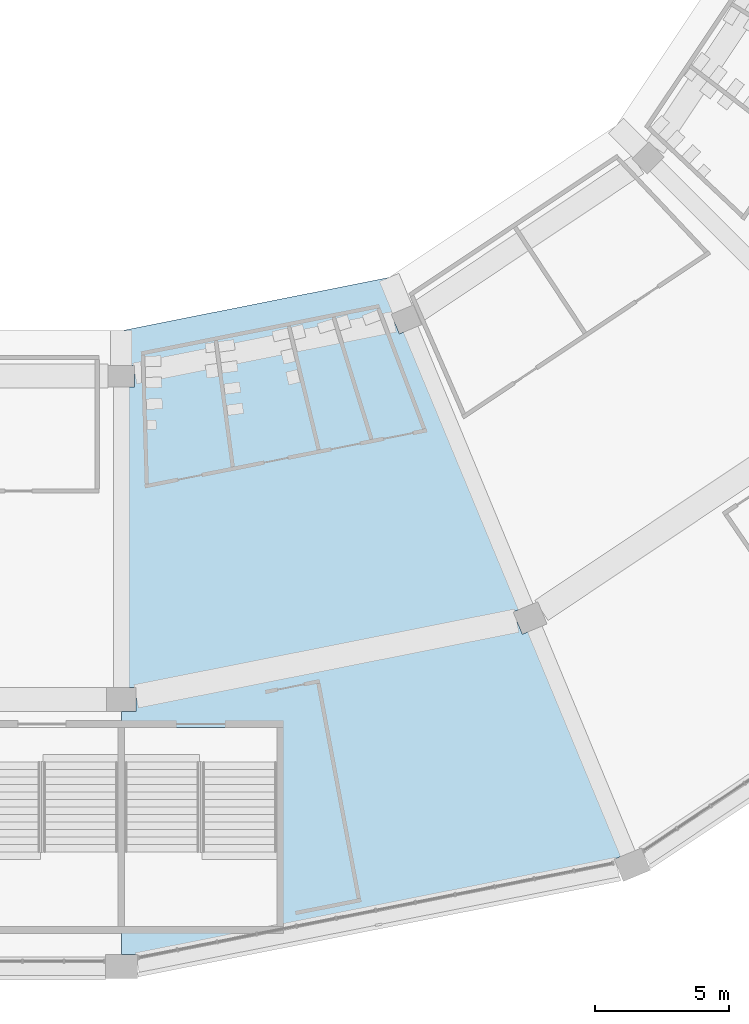
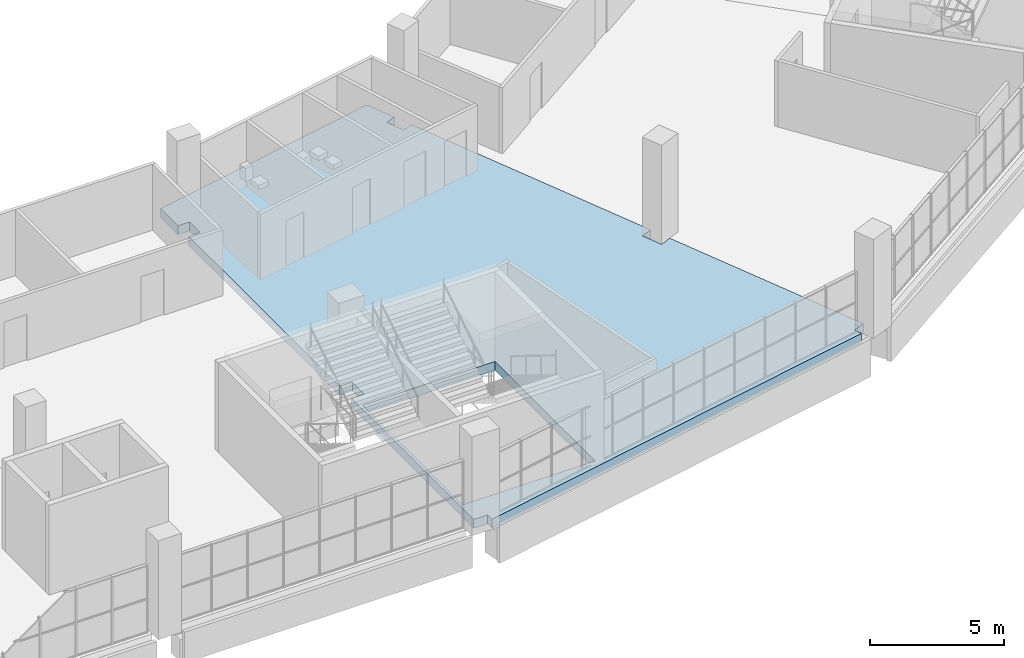
# One storey, part 60 of 199: 1 slab.
"""IFC4 building model written with IfcOpenShell, lengths in metres."""

import ifcopenshell
import ifcopenshell.guid

model = None  # the IFC model being written
_history = None  # IfcOwnerHistory: only IFC2X3 demands one
_inside = {}  # id of a spatial element -> (the spatial element, [elements in it])
_under = {}  # id of a project, library or spatial element -> (it, [spatial elements below it])
_declared = {}  # id of a project -> (the project, [libraries it declares])
_typed = {}  # id of a type object -> (the type object, [elements of that type])
_made_of = {}  # id of a material, layer set ... -> (it, [elements and type objects made of it])


def new_model(schema):
    """Start an empty IFC model of exactly this schema.

    Asked for "IFC4X3", IfcOpenShell would pick the latest addendum, in which some entities
    have other attributes; the version numbers below select the first issue.
    IFC2X3 requires an IfcOwnerHistory on every rooted entity: one is made here for all.
    """
    global model, _history
    if schema == "IFC4X3":
        model = ifcopenshell.file(schema_version=(4, 3, 0, 0))
    else:
        model = ifcopenshell.file(schema=schema)
    _inside.clear()
    _under.clear()
    _declared.clear()
    _typed.clear()
    _made_of.clear()
    _history = None
    if model.schema == "IFC2X3":
        org = make("IfcOrganization", Name="unknown")
        user = make(
            "IfcPersonAndOrganization",
            ThePerson=make("IfcPerson", FamilyName="unknown"),
            TheOrganization=org,
        )
        app = make(
            "IfcApplication",
            ApplicationDeveloper=org,
            Version="unknown",
            ApplicationFullName="unknown",
            ApplicationIdentifier="unknown",
        )
        _history = make(
            "IfcOwnerHistory",
            OwningUser=user,
            OwningApplication=app,
            ChangeAction="ADDED",
            CreationDate=0,
        )
    return model


def make(cls, **values):
    """One entity of the class cls with the attributes given. An attribute that is None is left unset."""
    return model.create_entity(
        cls, **{name: value for name, value in values.items() if value is not None}
    )


def rooted(cls, **values):
    """An entity with a GlobalId (a new one), such as an element, a storey or a relation."""
    return make(cls, GlobalId=ifcopenshell.guid.new(), OwnerHistory=_history, **values)


def si_unit(unit_type, name, prefix=None):
    """IfcSIUnit, for example si_unit("LENGTHUNIT", "METRE", prefix="MILLI")."""
    return make("IfcSIUnit", UnitType=unit_type, Prefix=prefix, Name=name)


def assignment(units):
    """IfcUnitAssignment: the units of a project."""
    return None if units is None else make("IfcUnitAssignment", Units=units)


def point(xyz):
    """IfcCartesianPoint."""
    return None if xyz is None else make("IfcCartesianPoint", Coordinates=xyz)


def direction(xyz):
    """IfcDirection."""
    return None if xyz is None else make("IfcDirection", DirectionRatios=xyz)


def frame(location, z_axis=None, x_axis=None):
    """IfcAxis2Placement3D, a coordinate frame: its origin and axes. An axis left out is left unset."""
    return make(
        "IfcAxis2Placement3D",
        Location=point(location),
        Axis=direction(z_axis),
        RefDirection=direction(x_axis),
    )


def origin():
    """The frame at (0, 0, 0) with its axes left unset."""
    return frame((0.0, 0.0, 0.0))


def place(relative_to, where):
    """IfcLocalPlacement: puts the frame where relative to a parent placement (None: the world)."""
    return make(
        "IfcLocalPlacement", PlacementRelTo=relative_to, RelativePlacement=where
    )


def context(
    kind, dimensions, precision=None, world=None, true_north=None, identifier=None
):
    """IfcGeometricRepresentationContext, for example the 3D "Model" context."""
    return make(
        "IfcGeometricRepresentationContext",
        ContextIdentifier=identifier,
        ContextType=kind,
        CoordinateSpaceDimension=dimensions,
        Precision=precision,
        WorldCoordinateSystem=world,
        TrueNorth=true_north,
    )


def subcontext(parent, identifier, kind, view, scale=None):
    """IfcGeometricRepresentationSubContext, for example "Body" below "Model"."""
    return make(
        "IfcGeometricRepresentationSubContext",
        ContextIdentifier=identifier,
        ContextType=kind,
        ParentContext=parent,
        TargetScale=scale,
        TargetView=view,
    )


def project(units=None, contexts=None):
    """IfcProject with its units and contexts."""
    return rooted(
        "IfcProject",
        Name="project",
        RepresentationContexts=contexts,
        UnitsInContext=assignment(units),
    )


def spatial(cls, under=None, at=None, **own):
    """A site, building, storey or space (cls), placed at a placement, below another one or the project."""
    s = rooted(cls, ObjectPlacement=at, **own)
    if under is not None:
        _under.setdefault(under.id(), (under, []))[1].append(s)
    return s


def polyline(points):
    """IfcPolyline through the points."""
    return make("IfcPolyline", Points=[point(p) for p in points])


def outline(outer, holes=None, kind="AREA"):
    """IfcArbitraryClosedProfileDef: a profile drawn as a closed curve; with holes, ...WithVoids."""
    if holes is None:
        return make("IfcArbitraryClosedProfileDef", ProfileType=kind, OuterCurve=outer)
    return make(
        "IfcArbitraryProfileDefWithVoids",
        ProfileType=kind,
        OuterCurve=outer,
        InnerCurves=holes,
    )


def extrude(swept, where, along, depth):
    """IfcExtrudedAreaSolid: the profile swept, set in the frame where, extruded along a direction by depth."""
    return make(
        "IfcExtrudedAreaSolid",
        SweptArea=swept,
        Position=where,
        ExtrudedDirection=direction(along),
        Depth=depth,
    )


def shape(context_of_items, identifier, shape_type, items):
    """IfcShapeRepresentation: the items that make up one representation, for example the "Body"."""
    return make(
        "IfcShapeRepresentation",
        ContextOfItems=context_of_items,
        RepresentationIdentifier=identifier,
        RepresentationType=shape_type,
        Items=items,
    )


def material(Name=None, Category=None):
    """IfcMaterial."""
    return make("IfcMaterial", Name=Name, Category=Category)


def layer(
    of_material, thickness, ventilated=None, Name=None, Category=None, Priority=None
):
    """IfcMaterialLayer: one layer of a wall or slab, of a material (None: an air gap)."""
    return make(
        "IfcMaterialLayer",
        Material=of_material,
        LayerThickness=thickness,
        IsVentilated=ventilated,
        Name=Name,
        Category=Category,
        Priority=Priority,
    )


def layer_set(layers, Name=None):
    """IfcMaterialLayerSet."""
    return make("IfcMaterialLayerSet", MaterialLayers=layers, LayerSetName=Name)


def made_of(thing, what):
    """Note that an element or type object is made of a material, layer set ...; save() writes the relation."""
    if what is not None:
        _made_of.setdefault(what.id(), (what, []))[1].append(thing)
    return thing


def type_object(cls, material=None, **own):
    """A type object (cls), such as IfcWallType, which elements share."""
    return made_of(rooted(cls, **own), material)


def element(
    cls,
    number,
    at=None,
    inside=None,
    cuts=None,
    type_object=None,
    material=None,
    context=None,
    identifier="Body",
    shape_type=None,
    held_by="IfcProductDefinitionShape",
    body=None,
    shapes=None,
    **own,
):
    """One element of the class cls, such as IfcWall. Its Tag is "e" and its number.

    at: its placement. inside: the storey or other place that contains it. cuts: it is an
    opening in that element (IfcRelVoidsElement). A single representation is given by context,
    identifier, shape_type and body (its items); several are given by shapes. held_by: the class
    of the entity that holds the representations. save() writes the other relations.
    """
    e = rooted(cls, Tag="e%d" % number, ObjectPlacement=at, **own)
    if body is not None:
        shapes = [shape(context, identifier, shape_type, body)]
    if shapes is not None:
        e.Representation = make(held_by, Representations=shapes)
    if inside is not None:
        _inside.setdefault(inside.id(), (inside, []))[1].append(e)
    if cuts is not None:
        rooted(
            "IfcRelVoidsElement", RelatingBuildingElement=cuts, RelatedOpeningElement=e
        )
    if type_object is not None:
        _typed.setdefault(type_object.id(), (type_object, []))[1].append(e)
    return made_of(e, material)


def aggregate(whole, parts):
    """IfcRelAggregates: a whole, such as a stair, and the parts it consists of."""
    return rooted("IfcRelAggregates", RelatingObject=whole, RelatedObjects=parts)


def save(model, path):
    """Write the relations noted so far, then the file.

    IfcRelAggregates (storeys below a building ...), IfcRelContainedInSpatialStructure (elements
    in a storey), IfcRelDefinesByType, IfcRelAssociatesMaterial and IfcRelDeclares: one each for
    every whole, place, type object, material and project.
    """
    for whole, parts in _under.values():
        aggregate(whole, parts)
    for where, things in _inside.values():
        rooted(
            "IfcRelContainedInSpatialStructure",
            RelatedElements=things,
            RelatingStructure=where,
        )
    for kind, things in _typed.values():
        rooted("IfcRelDefinesByType", RelatedObjects=things, RelatingType=kind)
    for what, things in _made_of.values():
        rooted("IfcRelAssociatesMaterial", RelatedObjects=things, RelatingMaterial=what)
    for by, libraries in _declared.values():
        rooted("IfcRelDeclares", RelatingContext=by, RelatedDefinitions=libraries)
    model.write(path)


model = new_model("IFC4")

# Units and contexts
model_context = context("Model", 3, precision=1e-05, world=origin(), true_north=direction((0.0, 1.0)))
body_context = subcontext(model_context, "Body", "Model", "MODEL_VIEW")
ifc_project = project(units=[si_unit("LENGTHUNIT", "METRE"), si_unit("AREAUNIT", "SQUARE_METRE"), si_unit("VOLUMEUNIT", "CUBIC_METRE"), si_unit("PLANEANGLEUNIT", "RADIAN"), si_unit("MASSUNIT", "GRAM", prefix="KILO")], contexts=[model_context])

# Site, building, storey
site_placement = place(None, origin())
site = spatial("IfcSite", under=ifc_project, at=site_placement, CompositionType="ELEMENT")
building_placement = place(site_placement, origin())
building = spatial("IfcBuilding", under=site, at=building_placement, Name="Ogive Plaza Stadium", CompositionType="ELEMENT")
storey_placement = place(building_placement, frame((0.0, 0.0, 4.5)))
storey = spatial("IfcBuildingStorey", under=building, at=storey_placement, Name="L01", CompositionType="ELEMENT", Elevation=4.5)

# Slab
ifc_material = material(Name="Concrete C40/50", Category="concrete")
ifc_layer = layer(ifc_material, 0.409912109375)
ifc_layer_set = layer_set([ifc_layer], Name="Concrete C40/50")
slab_type = type_object("IfcSlabType", Name="RC floor slab 410", PredefinedType="FLOOR", material=ifc_layer_set)
slab_placement = place(storey_placement, frame((0.0, 0.0, -0.409912109375)))
element("IfcSlab", 1, at=slab_placement, inside=storey, type_object=slab_type, Name="Floor slab L01 B11", PredefinedType="FLOOR", context=body_context, shape_type="SweptSolid", body=[
    extrude(outline(polyline([(34.0, -80.0), (34.5, -80.0), (34.5, -80.800048828125), (34.0, -80.800048828125), (34.0, -92.050048828125), (34.550048828125, -92.050048828125), (34.550048828125, -92.949951171875), (34.0, -92.949951171875), (34.0, -102.050048828125), (34.60009765625, -102.050048828125), (34.60009765625, -102.380615234375), (52.584228515625, -98.803466796875), (52.453857421875, -98.48876953125), (52.9619140625, -98.2783203125), (49.4794921875, -89.870849609375), (49.017578125, -90.062255859375), (48.673095703125, -89.230712890625), (49.135009765625, -89.03955078125), (44.829833984375, -78.645751953125), (44.414306640625, -78.818115234375), (44.108154296875, -78.078857421875), (44.523681640625, -77.90673828125), (44.0263671875, -76.70556640625), (34.0, -78.699951171875), (34.0, -80.0)]), holes=[polyline([(39.824951171875, -93.550048828125), (34.125, -93.550048828125), (34.125, -101.010009765625), (39.824951171875, -101.010009765625), (39.824951171875, -93.550048828125)])]), origin(), (0.0, 0.0, 1.0), 0.409912109375),
])

save(model, "model.ifc")
